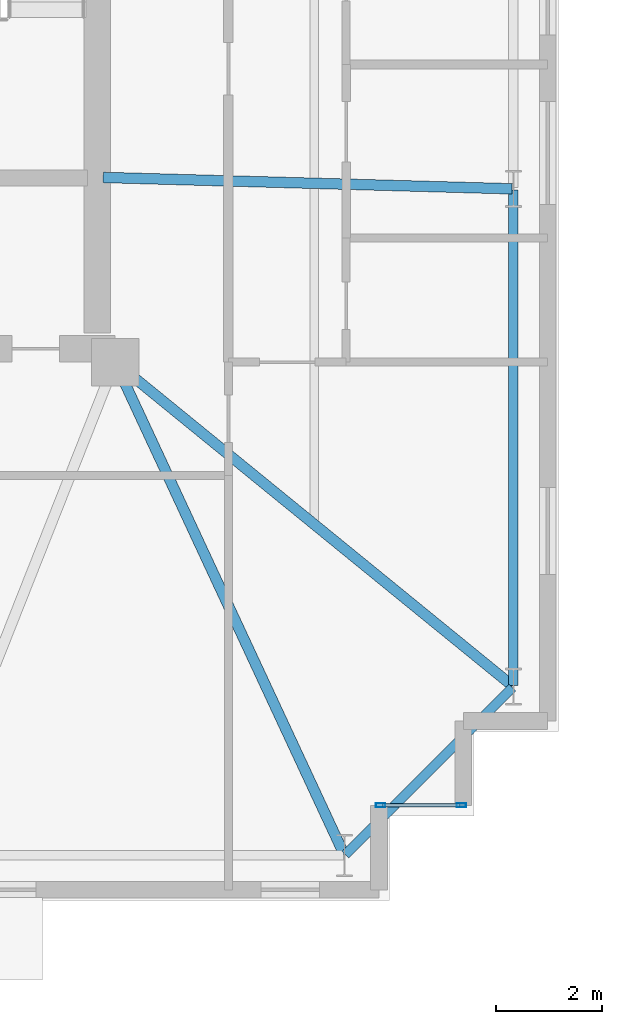
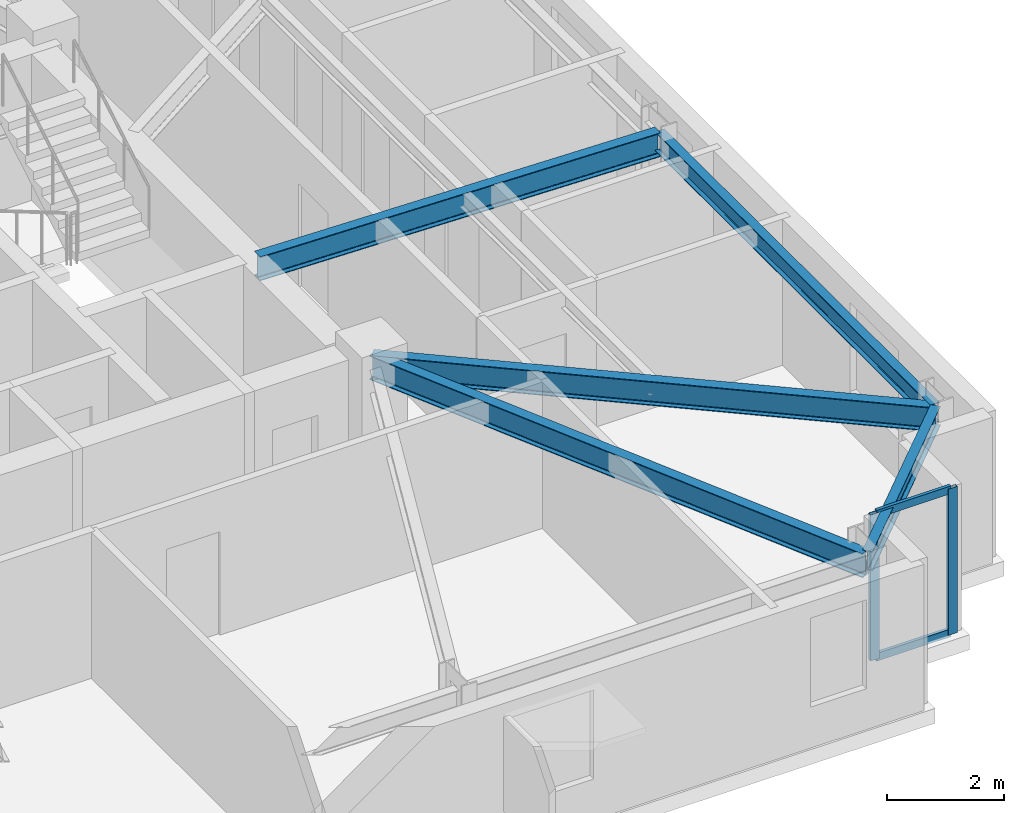
# One storey, part 5 of 18: 5 beams, 4 members, 1 element without a shape of its own.
"""IFC4 building model written with IfcOpenShell, lengths in metres."""

from ifc_helpers import new_model, si_unit, direction, frame, origin, origin_2d, place, context, subcontext, project, spatial, hollow_rectangle, i_section, extrude, material, layer, layer_set, material_profile, profile_set, type_object, element, aggregate, save


model = new_model("IFC4")

# Units and contexts
model_context = context("Model", 3, precision=1e-05, world=origin(), true_north=direction((0.0, 1.0)))
body_context = subcontext(model_context, "Body", "Model", "MODEL_VIEW")
ifc_project = project(units=[si_unit("LENGTHUNIT", "METRE"), si_unit("AREAUNIT", "SQUARE_METRE"), si_unit("VOLUMEUNIT", "CUBIC_METRE"), si_unit("PLANEANGLEUNIT", "RADIAN"), si_unit("MASSUNIT", "GRAM", prefix="KILO")], contexts=[model_context])

# Site, building, storey
site_placement = place(None, origin())
site = spatial("IfcSite", under=ifc_project, at=site_placement, CompositionType="ELEMENT")
building_placement = place(site_placement, origin())
building = spatial("IfcBuilding", under=site, at=building_placement, Name="Qobustan Lattice House", CompositionType="ELEMENT")
storey_placement = place(building_placement, frame((0.0, 0.0, 134.35009765625)))
storey = spatial("IfcBuildingStorey", under=building, at=storey_placement, Name="L37", CompositionType="ELEMENT", Elevation=134.35009765625)

# Beams
ifc_material_1 = material(Name="Steel S355", Category="steel")
ifc_material_profile_1 = material_profile(ifc_material_1, i_section(OverallWidth=0.199951171875, OverallDepth=0.5, WebThickness=0.01025390625, FlangeThickness=0.01611328125, FilletRadius=0.02099609375, at=origin_2d()), Name="IPE500")
ifc_profile_set_1 = profile_set([ifc_material_profile_1], Name="Steel S355")
beam_type_1 = type_object("IfcBeamType", Name="BM-FLG-IPE500", PredefinedType="USERDEFINED", material=ifc_profile_set_1)
beam_1_placement = place(storey_placement, frame((23.139404296875, -14.92724609375, 2.789794921875), z_axis=(-0.421827633168, 0.906676043521, 0.0), x_axis=(-0.906676043521, -0.421827633168, 0.0)))
element("IfcBeam", 1, at=beam_1_placement, inside=storey, type_object=beam_type_1, Name="L37 primary floor girder RAD-S7E", ObjectType="GIRDER", PredefinedType="USERDEFINED", context=body_context, shape_type="SweptSolid", body=[
    extrude(i_section(OverallWidth=0.199951171875, OverallDepth=0.5, WebThickness=0.01025390625, FlangeThickness=0.01611328125, FilletRadius=0.02099609375, at=origin_2d()), origin(), (0.0, 0.0, 1.0), 10.26220703125),
])
beam_2_placement = place(storey_placement, frame((26.324951171875, -2.31591796875, 2.789794921875), z_axis=(-0.999614226396, 0.027774059592, 0.0), x_axis=(-0.027774059592, -0.999614226396, 0.0)))
element("IfcBeam", 2, at=beam_2_placement, inside=storey, type_object=beam_type_1, Name="L37 primary floor girder RAD-E2", ObjectType="GIRDER", PredefinedType="USERDEFINED", context=body_context, shape_type="SweptSolid", body=[
    extrude(i_section(OverallWidth=0.199951171875, OverallDepth=0.5, WebThickness=0.01025390625, FlangeThickness=0.01611328125, FilletRadius=0.02099609375, at=origin_2d()), origin(), (0.0, 0.0, 1.0), 7.7529296875),
])
beam_3_placement = place(storey_placement, frame((26.33056640625, -11.734130859375, 2.789794921875), z_axis=(-0.775328675038, 0.631557951152, 0.0), x_axis=(-0.631557951152, -0.775328675038, 0.0)))
element("IfcBeam", 3, at=beam_3_placement, inside=storey, type_object=beam_type_1, Name="L37 primary floor girder RAD-E1", ObjectType="GIRDER", PredefinedType="USERDEFINED", context=body_context, shape_type="SweptSolid", body=[
    extrude(i_section(OverallWidth=0.199951171875, OverallDepth=0.5, WebThickness=0.01025390625, FlangeThickness=0.01611328125, FilletRadius=0.02099609375, at=origin_2d()), origin(), (0.0, 0.0, 1.0), 9.687744140625),
])
ifc_material_2 = material(Name="Steel S355", Category="steel")
ifc_material_profile_2 = material_profile(ifc_material_2, i_section(OverallWidth=0.179931640625, OverallDepth=0.39990234375, WebThickness=0.008544921875, FlangeThickness=0.013427734375, FilletRadius=0.02099609375, at=origin_2d()), Name="IPE400")
ifc_profile_set_2 = profile_set([ifc_material_profile_2], Name="Steel S355")
beam_type_2 = type_object("IfcBeamType", Name="BM-SPD-IPE400", PredefinedType="SPANDREL", material=ifc_profile_set_2)
beam_4_placement = place(storey_placement, frame((23.167724609375, -14.932373046875, 2.83984375), z_axis=(0.707079505568, 0.707134055753, 0.0), x_axis=(-0.707134055753, 0.707079505568, 0.0)))
element("IfcBeam", 4, at=beam_4_placement, inside=storey, type_object=beam_type_2, Name="L37 perimeter spandrel S7-E1", PredefinedType="SPANDREL", context=body_context, shape_type="SweptSolid", body=[
    extrude(i_section(OverallWidth=0.179931640625, OverallDepth=0.39990234375, WebThickness=0.008544921875, FlangeThickness=0.013427734375, FilletRadius=0.02099609375, at=origin_2d()), origin(), (0.0, 0.0, 1.0), 4.4755859375),
])
beam_5_placement = place(storey_placement, frame((26.35009765625, -11.72509765625, 2.83984375), z_axis=(0.0, 1.0, 0.0), x_axis=(-1.0, 0.0, 0.0)))
element("IfcBeam", 5, at=beam_5_placement, inside=storey, type_object=beam_type_2, Name="L37 perimeter spandrel E1-E2", PredefinedType="SPANDREL", context=body_context, shape_type="SweptSolid", body=[
    extrude(i_section(OverallWidth=0.179931640625, OverallDepth=0.39990234375, WebThickness=0.008544921875, FlangeThickness=0.013427734375, FilletRadius=0.02099609375, at=origin_2d()), origin(), (0.0, 0.0, 1.0), 9.38330078125),
])

# Curtain wall, members
ifc_material_3 = material(Name="Anodised aluminium and low-E glazing", Category="aluminium")
ifc_layer = layer(ifc_material_3, 0.219970703125)
ifc_layer_set = layer_set([ifc_layer], Name="Anodised aluminium and low-E glazing")
curtain_wall_type = type_object("IfcCurtainWallType", Name="CW-FAC-02", PredefinedType="USERDEFINED", material=ifc_layer_set)
curtain_wall_placement = place(storey_placement, origin())
curtain_wall = element("IfcCurtainWall", 6, at=curtain_wall_placement, inside=storey, type_object=curtain_wall_type, Name="L37 serrated corner faceted glazing 18", ObjectType="CURTAIN WALL", PredefinedType="USERDEFINED")
ifc_material_4 = material(Name="Anodised aluminium EN AW-6063 T6", Category="aluminium")
ifc_material_profile_3 = material_profile(ifc_material_4, hollow_rectangle(XDim=0.070068359375, YDim=0.179931640625, WallThickness=0.00439453125, at=origin_2d()), Name="CWM-180x70")
ifc_profile_set_3 = profile_set([ifc_material_profile_3], Name="Anodised aluminium EN AW-6063 T6")
member_type_1 = type_object("IfcMemberType", Name="CWM-STD-180", PredefinedType="MULLION", material=ifc_profile_set_3)
member_1_placement = place(storey_placement, frame((25.364990234375, -14.0, 0.0), z_axis=(0.0, 0.0, 1.0), x_axis=(0.0, -1.0, 0.0)))
member_1 = element("IfcMember", 7, at=member_1_placement, type_object=member_type_1, Name="CW-F2 mullion 1", PredefinedType="MULLION", context=body_context, shape_type="SweptSolid", body=[
    extrude(hollow_rectangle(XDim=0.070068359375, YDim=0.179931640625, WallThickness=0.00439453125, at=origin_2d()), origin(), (0.0, 0.0, 1.0), 3.039794921875),
])
member_2_placement = place(storey_placement, frame((23.8349609375, -14.0, 0.0), z_axis=(0.0, 0.0, 1.0), x_axis=(0.0, -1.0, 0.0)))
member_2 = element("IfcMember", 8, at=member_2_placement, type_object=member_type_1, Name="CW-F2 mullion 2", PredefinedType="MULLION", context=body_context, shape_type="SweptSolid", body=[
    extrude(hollow_rectangle(XDim=0.070068359375, YDim=0.179931640625, WallThickness=0.00439453125, at=origin_2d()), origin(), (0.0, 0.0, 1.0), 3.039794921875),
])
ifc_material_5 = material(Name="Anodised aluminium EN AW-6063 T6", Category="aluminium")
ifc_material_profile_4 = material_profile(ifc_material_5, hollow_rectangle(XDim=0.06494140625, YDim=0.159912109375, WallThickness=0.00390625, at=origin_2d()), Name="CWT-160x65")
ifc_profile_set_4 = profile_set([ifc_material_profile_4], Name="Anodised aluminium EN AW-6063 T6")
member_type_2 = type_object("IfcMemberType", Name="CWT-HOR-160", PredefinedType="USERDEFINED", material=ifc_profile_set_4)
member_3_placement = place(storey_placement, frame((25.330078125, -14.0, 0.032470703125), z_axis=(-1.0, 0.0, 0.0), x_axis=(0.0, -1.0, 0.0)))
member_3 = element("IfcMember", 9, at=member_3_placement, type_object=member_type_2, Name="CW-F2 transom 1.1", ObjectType="TRANSOM", PredefinedType="USERDEFINED", context=body_context, shape_type="SweptSolid", body=[
    extrude(hollow_rectangle(XDim=0.06494140625, YDim=0.159912109375, WallThickness=0.00390625, at=origin_2d()), origin(), (0.0, 0.0, 1.0), 1.4599609375),
])
member_4_placement = place(storey_placement, frame((25.330078125, -14.0, 3.00732421875), z_axis=(-1.0, 0.0, 0.0), x_axis=(0.0, -1.0, 0.0)))
member_4 = element("IfcMember", 10, at=member_4_placement, type_object=member_type_2, Name="CW-F2 transom 1.2", ObjectType="TRANSOM", PredefinedType="USERDEFINED", context=body_context, shape_type="SweptSolid", body=[
    extrude(hollow_rectangle(XDim=0.06494140625, YDim=0.159912109375, WallThickness=0.00390625, at=origin_2d()), origin(), (0.0, 0.0, 1.0), 1.4599609375),
])
aggregate(curtain_wall, [member_1, member_2, member_3, member_4])

save(model, "model.ifc")
